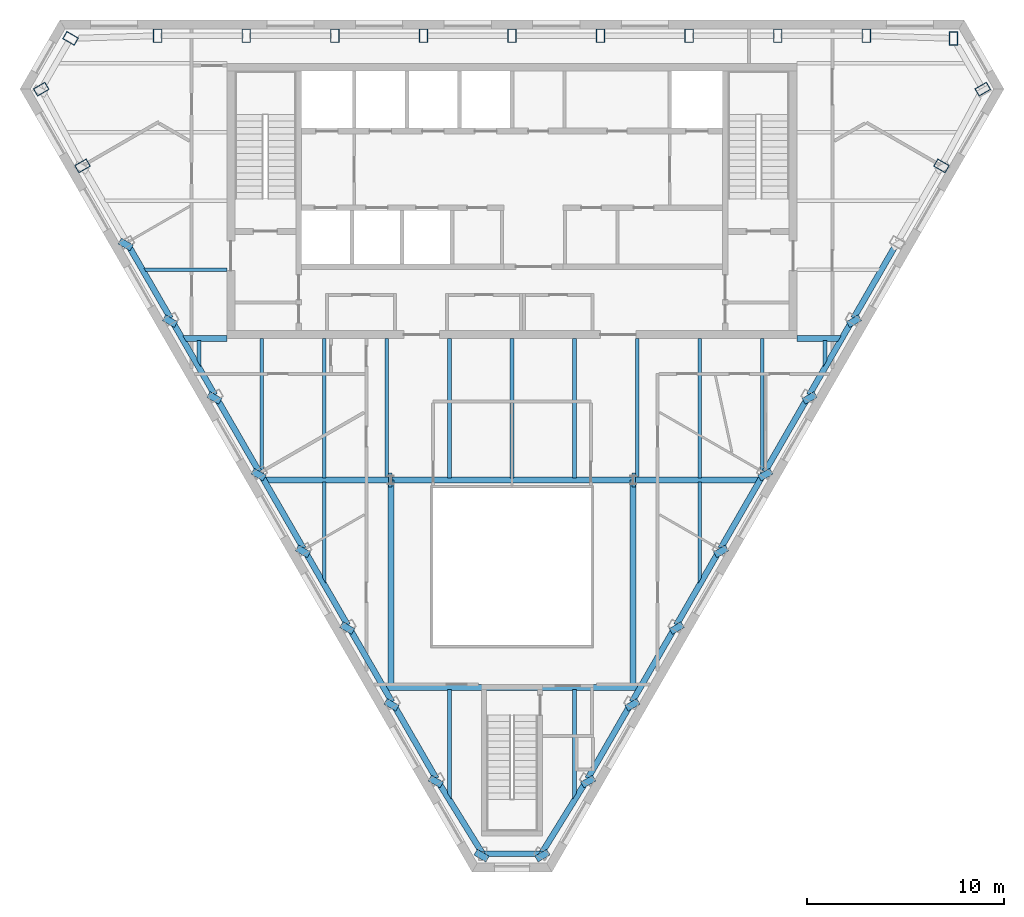
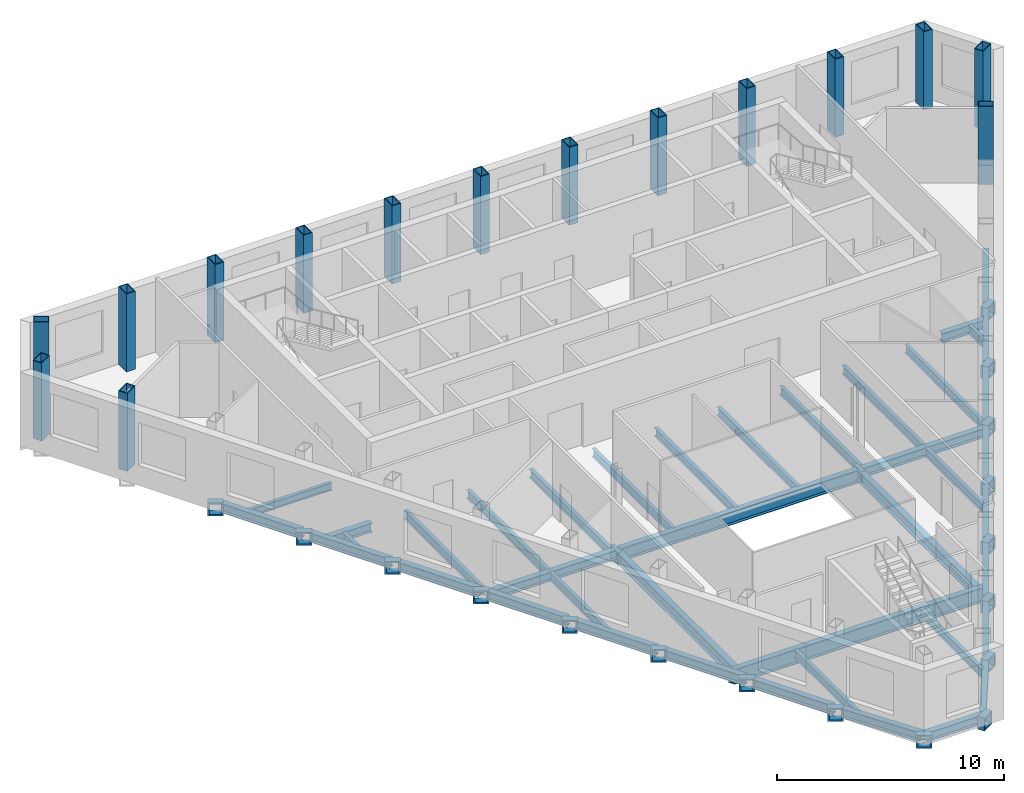
# One storey, part 2 of 10: 60 beams, 15 columns.
"""IFC4 building model written with IfcOpenShell, lengths in metres."""

from ifc_helpers import new_model, si_unit, direction, frame, origin, origin_2d, place, context, subcontext, project, spatial, hollow_rectangle, i_section, extrude, clip, halfspace, material, material_profile, profile_set, type_object, element, save


model = new_model("IFC4")

# Units and contexts
model_context = context("Model", 3, precision=1e-05, world=origin(), true_north=direction((0.0, 1.0)))
body_context = subcontext(model_context, "Body", "Model", "MODEL_VIEW")
ifc_project = project(units=[si_unit("LENGTHUNIT", "METRE"), si_unit("AREAUNIT", "SQUARE_METRE"), si_unit("VOLUMEUNIT", "CUBIC_METRE"), si_unit("PLANEANGLEUNIT", "RADIAN"), si_unit("MASSUNIT", "GRAM", prefix="KILO")], contexts=[model_context])

# Site, building, storey
site_placement = place(None, origin())
site = spatial("IfcSite", under=ifc_project, at=site_placement, CompositionType="ELEMENT")
building_placement = place(site_placement, origin())
building = spatial("IfcBuilding", under=site, at=building_placement, Name="Njiva Tower", CompositionType="ELEMENT")
storey_placement = place(building_placement, frame((0.0, 0.0, 329.4)))
storey = spatial("IfcBuildingStorey", under=building, at=storey_placement, Name="L75", CompositionType="ELEMENT", Elevation=329.4)

# Columns
ifc_material = material(Name="Steel S355 J2", Category="steel")
ifc_material_profile_1 = material_profile(ifc_material, hollow_rectangle(XDim=0.45, YDim=0.7, WallThickness=0.04, at=origin_2d()), Name="BOX 700x450x40")
ifc_profile_set_1 = profile_set([ifc_material_profile_1], Name="Steel S355 J2")
column_type = type_object("IfcColumnType", Name="C15 Perimeter tube column BOX 700x450x40", PredefinedType="COLUMN", material=ifc_profile_set_1)
for number, where, z_axis, x_axis, name in (
    (1, (22.456, 19.267, 0.0), (0.0, 0.0, 1.0), (-1.0, 0.0, 0.0), "Perimeter tube column S26-C01"),
    (2, (18.026, 19.4, 0.0), (0.0, 0.0, 1.0), (-1.0, 0.0, 0.0), "Perimeter tube column S26-C02"),
    (3, (13.52, 19.4, 0.0), (0.0, 0.0, 1.0), (-1.0, 0.0, 0.0), "Perimeter tube column S26-C03"),
    (4, (9.013, 19.4, 0.0), (0.0, 0.0, 1.0), (-1.0, 0.0, 0.0), "Perimeter tube column S26-C04"),
    (5, (4.507, 19.4, 0.0), (0.0, 0.0, 1.0), (-1.0, 0.0, 0.0), "Perimeter tube column S26-C05"),
    (6, (0.0, 19.4, 0.0), (0.0, 0.0, 1.0), (-1.0, 0.0, 0.0), "Perimeter tube column S26-C06"),
    (7, (-4.507, 19.4, 0.0), (0.0, 0.0, 1.0), (-1.0, 0.0, 0.0), "Perimeter tube column S26-C07"),
    (8, (-9.013, 19.4, 0.0), (0.0, 0.0, 1.0), (-1.0, 0.0, 0.0), "Perimeter tube column S26-C08"),
    (9, (-13.52, 19.4, 0.0), (0.0, 0.0, 1.0), (-1.0, 0.0, 0.0), "Perimeter tube column S26-C09"),
    (10, (-18.026, 19.4, 0.0), (0.0, 0.0, 1.0), (-1.0, 0.0, 0.0), "Perimeter tube column S26-C10"),
    (11, (-22.456, 19.267, 0.0), (0.0, 0.0, 1.0), (-0.5, -0.866025403784, 0.0), "Perimeter tube column S26-C11"),
    (12, (-23.948, 16.684, 0.0), (0.0, 0.0, 1.0), (0.5, -0.866025403784, 0.0), "Perimeter tube column S26-C12"),
    (13, (-21.848, 12.781, 0.0), (0.0, 0.0, 1.0), (0.5, -0.866025403784, 0.0), "Perimeter tube column S26-C13"),
    (14, (21.848, 12.781, 0.0), (0.0, 0.0, 1.0), (0.5, 0.866025403784, 0.0), "Perimeter tube column S26-C32"),
    (15, (23.948, 16.684, 0.0), (0.0, 0.0, 1.0), (-0.5, 0.866025403784, 0.0), "Perimeter tube column S26-C33"),
):
    element("IfcColumn", number, at=place(storey_placement, frame(where, z_axis=z_axis, x_axis=x_axis)), inside=storey, type_object=column_type, Name=name, PredefinedType="COLUMN", context=body_context, shape_type="SweptSolid", body=[
        extrude(hollow_rectangle(XDim=0.45, YDim=0.7, WallThickness=0.04, at=origin_2d()), origin(), (0.0, 0.0, 1.0), 4.2),
    ])

# Beams
ifc_material_profile_2 = material_profile(ifc_material, i_section(OverallWidth=0.3, OverallDepth=0.69, WebThickness=0.0145, FlangeThickness=0.027, at=origin_2d()), Name="HEA 700")
ifc_profile_set_2 = profile_set([ifc_material_profile_2], Name="Steel S355 J2")
beam_type_1 = type_object("IfcBeamType", Name="B18 Long-span atrium trimmer beam HEA 700", PredefinedType="BEAM", material=ifc_profile_set_2)
beam_1_placement = place(storey_placement, frame((6.16, -3.2, -0.545), z_axis=(-1.0, 0.0, 0.0), x_axis=(0.0, -1.0, 0.0)))
element("IfcBeam", 16, at=beam_1_placement, inside=storey, type_object=beam_type_1, Name="Long-span atrium trimmer beam S26-B057", PredefinedType="BEAM", context=body_context, shape_type="SweptSolid", body=[
    extrude(i_section(OverallWidth=0.3, OverallDepth=0.69, WebThickness=0.0145, FlangeThickness=0.027, at=origin_2d()), origin(), (0.0, 0.0, 1.0), 12.32),
])
ifc_material_profile_3 = material_profile(ifc_material, hollow_rectangle(XDim=0.7, YDim=0.7, WallThickness=0.08, at=origin_2d()), Name="BOX 700x700x80")
ifc_profile_set_3 = profile_set([ifc_material_profile_3], Name="Steel S355 J2")
beam_type_2 = type_object("IfcBeamType", Name="B19 Column jog beam BOX 700x700x80", PredefinedType="BEAM", material=ifc_profile_set_3)
for number, where, z_axis, x_axis, name in (
    (17, (-19.735, 8.636, -0.55), (0.500571914019, 0.865694957185, 0.0), (-0.865694957185, 0.500571914019, 0.0), "Column jog beam S26-B015"),
    (18, (-17.481, 4.733, -0.55), (0.500571914019, 0.865694957185, 0.0), (-0.865694957185, 0.500571914019, 0.0), "Column jog beam S26-B016"),
):
    element("IfcBeam", number, at=place(storey_placement, frame(where, z_axis=z_axis, x_axis=x_axis)), inside=storey, type_object=beam_type_2, Name=name, PredefinedType="BEAM", context=body_context, shape_type="SweptSolid", body=[
        extrude(hollow_rectangle(XDim=0.7, YDim=0.7, WallThickness=0.08, at=origin_2d()), origin(), (0.0, 0.0, 1.0), 0.3396),
    ])
for number, where, z_axis, x_axis, name in (
    (19, (-15.228, 0.83, -0.55), (0.499298623879, 0.866429964967, 0.0), (-0.866429964967, 0.499298623879, 0.0), "Column jog beam S26-B017"),
    (20, (-12.975, -3.073, -0.55), (0.499298623879, 0.866429964967, 0.0), (-0.866429964967, 0.499298623879, 0.0), "Column jog beam S26-B018"),
    (21, (-10.721, -6.976, -0.55), (0.499298623879, 0.866429964967, 0.0), (-0.866429964967, 0.499298623879, 0.0), "Column jog beam S26-B019"),
    (22, (-8.468, -10.879, -0.55), (0.499298623879, 0.866429964967, 0.0), (-0.866429964967, 0.499298623879, 0.0), "Column jog beam S26-B020"),
):
    element("IfcBeam", number, at=place(storey_placement, frame(where, z_axis=z_axis, x_axis=x_axis)), inside=storey, type_object=beam_type_2, Name=name, PredefinedType="BEAM", context=body_context, shape_type="SweptSolid", body=[
        extrude(hollow_rectangle(XDim=0.7, YDim=0.7, WallThickness=0.08, at=origin_2d()), origin(), (0.0, 0.0, 1.0), 0.3405),
    ])
for number, where, z_axis, x_axis, name in (
    (23, (-6.215, -14.781, -0.55), (0.500571914019, 0.865694957185, 0.0), (-0.865694957185, 0.500571914019, 0.0), "Column jog beam S26-B022"),
    (24, (-3.961, -18.684, -0.55), (0.500571914019, 0.865694957185, 0.0), (-0.865694957185, 0.500571914019, 0.0), "Column jog beam S26-B023"),
):
    element("IfcBeam", number, at=place(storey_placement, frame(where, z_axis=z_axis, x_axis=x_axis)), inside=storey, type_object=beam_type_2, Name=name, PredefinedType="BEAM", context=body_context, shape_type="SweptSolid", body=[
        extrude(hollow_rectangle(XDim=0.7, YDim=0.7, WallThickness=0.08, at=origin_2d()), origin(), (0.0, 0.0, 1.0), 0.3396),
    ])
for number, where, z_axis, x_axis, name in (
    (25, (-1.631, -22.454, -0.55), (0.499298623879, 0.866429964967, 0.0), (-0.866429964967, 0.499298623879, 0.0), "Column jog beam S26-B024"),
    (26, (1.631, -22.454, -0.55), (-0.499298623879, 0.866429964967, 0.0), (-0.866429964967, -0.499298623879, 0.0), "Column jog beam S26-B025"),
):
    element("IfcBeam", number, at=place(storey_placement, frame(where, z_axis=z_axis, x_axis=x_axis)), inside=storey, type_object=beam_type_2, Name=name, PredefinedType="BEAM", context=body_context, shape_type="SweptSolid", body=[
        extrude(hollow_rectangle(XDim=0.7, YDim=0.7, WallThickness=0.08, at=origin_2d()), origin(), (0.0, 0.0, 1.0), 0.3405),
    ])
for number, where, z_axis, x_axis, name in (
    (27, (3.961, -18.684, -0.55), (-0.500571914019, 0.865694957185, 0.0), (-0.865694957185, -0.500571914019, 0.0), "Column jog beam S26-B026"),
    (28, (6.215, -14.781, -0.55), (-0.500571914019, 0.865694957185, 0.0), (-0.865694957185, -0.500571914019, 0.0), "Column jog beam S26-B027"),
):
    element("IfcBeam", number, at=place(storey_placement, frame(where, z_axis=z_axis, x_axis=x_axis)), inside=storey, type_object=beam_type_2, Name=name, PredefinedType="BEAM", context=body_context, shape_type="SweptSolid", body=[
        extrude(hollow_rectangle(XDim=0.7, YDim=0.7, WallThickness=0.08, at=origin_2d()), origin(), (0.0, 0.0, 1.0), 0.3396),
    ])
for number, where, z_axis, x_axis, name in (
    (29, (8.468, -10.879, -0.55), (-0.499298623879, 0.866429964967, 0.0), (-0.866429964967, -0.499298623879, 0.0), "Column jog beam S26-B029"),
    (30, (10.721, -6.976, -0.55), (-0.499298623879, 0.866429964967, 0.0), (-0.866429964967, -0.499298623879, 0.0), "Column jog beam S26-B030"),
    (31, (12.975, -3.073, -0.55), (-0.499298623879, 0.866429964967, 0.0), (-0.866429964967, -0.499298623879, 0.0), "Column jog beam S26-B031"),
    (32, (15.228, 0.83, -0.55), (-0.499298623879, 0.866429964967, 0.0), (-0.866429964967, -0.499298623879, 0.0), "Column jog beam S26-B032"),
):
    element("IfcBeam", number, at=place(storey_placement, frame(where, z_axis=z_axis, x_axis=x_axis)), inside=storey, type_object=beam_type_2, Name=name, PredefinedType="BEAM", context=body_context, shape_type="SweptSolid", body=[
        extrude(hollow_rectangle(XDim=0.7, YDim=0.7, WallThickness=0.08, at=origin_2d()), origin(), (0.0, 0.0, 1.0), 0.3405),
    ])
beam_2_placement = place(storey_placement, frame((17.481, 4.733, -0.55), z_axis=(-0.500571914019, 0.865694957185, 0.0), x_axis=(-0.865694957185, -0.500571914019, 0.0)))
element("IfcBeam", 33, at=beam_2_placement, inside=storey, type_object=beam_type_2, Name="Column jog beam S26-B033", PredefinedType="BEAM", context=body_context, shape_type="SweptSolid", body=[
    extrude(hollow_rectangle(XDim=0.7, YDim=0.7, WallThickness=0.08, at=origin_2d()), origin(), (0.0, 0.0, 1.0), 0.3396),
])
for number, where, z_axis, x_axis, name in (
    (34, (6.28, -3.2, -0.55), (-1.0, 0.0, 0.0), (0.0, -1.0, 0.0), "Column jog beam S26-B028"),
    (35, (-6.28, -3.2, -0.55), (1.0, 0.0, 0.0), (0.0, 1.0, 0.0), "Column jog beam S26-B021"),
):
    element("IfcBeam", number, at=place(storey_placement, frame(where, z_axis=z_axis, x_axis=x_axis)), inside=storey, type_object=beam_type_2, Name=name, PredefinedType="BEAM", context=body_context, shape_type="SweptSolid", body=[
        extrude(hollow_rectangle(XDim=0.7, YDim=0.7, WallThickness=0.08, at=origin_2d()), origin(), (0.0, 0.0, 1.0), 0.18),
    ])
ifc_material_profile_4 = material_profile(ifc_material, i_section(OverallWidth=0.3, OverallDepth=0.59, WebThickness=0.013, FlangeThickness=0.025, at=origin_2d()), Name="HEA 600")
ifc_profile_set_4 = profile_set([ifc_material_profile_4], Name="Steel S355 J2")
beam_type_3 = type_object("IfcBeamType", Name="B30 Long-span atrium trimmer beam HEA 600", PredefinedType="BEAM", material=ifc_profile_set_4)
for number, where, z_axis, x_axis, name in (
    (36, (6.16, -13.65, -0.495), (0.0, 1.0, 0.0), (-1.0, 0.0, 0.0), "Long-span atrium trimmer beam S26-B059"),
    (37, (-6.16, -3.2, -0.495), (0.0, -1.0, 0.0), (1.0, 0.0, 0.0), "Long-span atrium trimmer beam S26-B056"),
):
    element("IfcBeam", number, at=place(storey_placement, frame(where, z_axis=z_axis, x_axis=x_axis)), inside=storey, type_object=beam_type_3, Name=name, PredefinedType="BEAM", context=body_context, shape_type="SweptSolid", body=[
        extrude(i_section(OverallWidth=0.3, OverallDepth=0.59, WebThickness=0.013, FlangeThickness=0.025, at=origin_2d()), origin(), (0.0, 0.0, 1.0), 10.45),
    ])
ifc_material_profile_5 = material_profile(ifc_material, i_section(OverallWidth=0.3, OverallDepth=0.49, WebThickness=0.012, FlangeThickness=0.023, at=origin_2d()), Name="HEA 500")
ifc_profile_set_5 = profile_set([ifc_material_profile_5], Name="Steel S355 J2")
beam_type_4 = type_object("IfcBeamType", Name="B48 Short-span spandrel beam HEA 500", PredefinedType="SPANDREL", material=ifc_profile_set_5)
beam_3_placement = place(storey_placement, frame((-19.452, 8.632, -0.445), z_axis=(0.499916824138, -0.866073420066, 0.0), x_axis=(0.866073420066, 0.499916824138, 0.0)))
element("IfcBeam", 38, at=beam_3_placement, inside=storey, type_object=beam_type_4, Name="Short-span spandrel beam S26-B068", PredefinedType="SPANDREL", context=body_context, shape_type="SweptSolid", body=[
    extrude(i_section(OverallWidth=0.3, OverallDepth=0.49, WebThickness=0.012, FlangeThickness=0.023, at=origin_2d()), origin(), (0.0, 0.0, 1.0), 4.1567),
])
for number, where, z_axis, x_axis, name in (
    (39, (-17.199, 4.729, -0.445), (0.500097243556, -0.865969252911, 0.0), (0.865969252911, 0.500097243556, 0.0), "Short-span spandrel beam S26-B071"),
    (40, (-14.946, 0.826, -0.445), (0.500097243556, -0.865969252911, 0.0), (0.865969252911, 0.500097243556, 0.0), "Short-span spandrel beam S26-B073"),
):
    element("IfcBeam", number, at=place(storey_placement, frame(where, z_axis=z_axis, x_axis=x_axis)), inside=storey, type_object=beam_type_4, Name=name, PredefinedType="SPANDREL", context=body_context, shape_type="SweptSolid", body=[
        extrude(i_section(OverallWidth=0.3, OverallDepth=0.49, WebThickness=0.012, FlangeThickness=0.023, at=origin_2d()), origin(), (0.0, 0.0, 1.0), 4.1572),
    ])
beam_4_placement = place(storey_placement, frame((-12.692, -3.077, -0.445), z_axis=(0.499916824138, -0.866073420066, 0.0), x_axis=(0.866073420066, 0.499916824138, 0.0)))
element("IfcBeam", 41, at=beam_4_placement, inside=storey, type_object=beam_type_4, Name="Short-span spandrel beam S26-B076", PredefinedType="SPANDREL", context=body_context, shape_type="SweptSolid", body=[
    extrude(i_section(OverallWidth=0.3, OverallDepth=0.49, WebThickness=0.012, FlangeThickness=0.023, at=origin_2d()), origin(), (0.0, 0.0, 1.0), 4.1567),
])
beam_5_placement = place(storey_placement, frame((-10.439, -6.98, -0.445), z_axis=(0.500097243556, -0.865969252911, 0.0), x_axis=(0.865969252911, 0.500097243556, 0.0)))
element("IfcBeam", 42, at=beam_5_placement, inside=storey, type_object=beam_type_4, Name="Short-span spandrel beam S26-B078", PredefinedType="SPANDREL", context=body_context, shape_type="SweptSolid", body=[
    extrude(i_section(OverallWidth=0.3, OverallDepth=0.49, WebThickness=0.012, FlangeThickness=0.023, at=origin_2d()), origin(), (0.0, 0.0, 1.0), 4.1572),
])
beam_6_placement = place(storey_placement, frame((-8.185, -10.883, -0.445), z_axis=(0.500021003115, -0.866013277291, 0.0), x_axis=(0.866013277291, 0.500021003115, 0.0)))
element("IfcBeam", 43, at=beam_6_placement, inside=storey, type_object=beam_type_4, Name="Short-span spandrel beam S26-B081", PredefinedType="SPANDREL", context=body_context, shape_type="SweptSolid", body=[
    extrude(i_section(OverallWidth=0.3, OverallDepth=0.49, WebThickness=0.012, FlangeThickness=0.023, at=origin_2d()), origin(), (0.0, 0.0, 1.0), 4.1558),
])
beam_7_placement = place(storey_placement, frame((-5.932, -14.785, -0.445), z_axis=(0.499916824138, -0.866073420066, 0.0), x_axis=(0.866073420066, 0.499916824138, 0.0)))
element("IfcBeam", 44, at=beam_7_placement, inside=storey, type_object=beam_type_4, Name="Short-span spandrel beam S26-B083", PredefinedType="SPANDREL", context=body_context, shape_type="SweptSolid", body=[
    extrude(i_section(OverallWidth=0.3, OverallDepth=0.49, WebThickness=0.012, FlangeThickness=0.023, at=origin_2d()), origin(), (0.0, 0.0, 1.0), 4.1567),
])
beam_8_placement = place(storey_placement, frame((-3.67, -18.687, -0.445), z_axis=(0.525805714585, -0.850604696972, 0.0), x_axis=(0.850604696972, 0.525805714585, 0.0)))
element("IfcBeam", 45, at=beam_8_placement, inside=storey, type_object=beam_type_4, Name="Short-span spandrel beam S26-B086", PredefinedType="SPANDREL", context=body_context, shape_type="Clipping", body=[
    clip(extrude(i_section(OverallWidth=0.3, OverallDepth=0.49, WebThickness=0.012, FlangeThickness=0.023, at=origin_2d()), origin(), (0.0, 0.0, 1.0), 4.1278), halfspace(frame((-0.0262, 0.0, 3.9986), z_axis=(-0.525805714585, 0.0, 0.850604696972), x_axis=(0.0, 1.0, 0.0)), False)),
])
beam_9_placement = place(storey_placement, frame((-1.426, -22.211, -0.445), z_axis=(1.0, 0.0, 0.0), x_axis=(0.0, 1.0, 0.0)))
element("IfcBeam", 46, at=beam_9_placement, inside=storey, type_object=beam_type_4, Name="Short-span spandrel beam S26-B087", PredefinedType="SPANDREL", context=body_context, shape_type="Clipping", body=[
    clip(extrude(i_section(OverallWidth=0.3, OverallDepth=0.49, WebThickness=0.012, FlangeThickness=0.023, at=origin_2d()), origin(), (0.0, 0.0, 1.0), 2.898), halfspace(frame((-0.0255, 0.0, 2.7762), z_axis=(-0.499998009787, 0.0, 0.866026552831), x_axis=(0.0, 1.0, 0.0)), False)),
])
beam_10_placement = place(storey_placement, frame((1.527, -22.153, -0.445), z_axis=(0.525889887246, 0.850552659447, 0.0), x_axis=(-0.850552659447, 0.525889887246, 0.0)))
element("IfcBeam", 47, at=beam_10_placement, inside=storey, type_object=beam_type_4, Name="Short-span spandrel beam S26-B090", PredefinedType="SPANDREL", context=body_context, shape_type="SweptSolid", body=[
    extrude(i_section(OverallWidth=0.3, OverallDepth=0.49, WebThickness=0.012, FlangeThickness=0.023, at=origin_2d()), origin(), (0.0, 0.0, 1.0), 4.075),
])
beam_11_placement = place(storey_placement, frame((3.854, -18.385, -0.445), z_axis=(0.499916824138, 0.866073420066, 0.0), x_axis=(-0.866073420066, 0.499916824138, 0.0)))
element("IfcBeam", 48, at=beam_11_placement, inside=storey, type_object=beam_type_4, Name="Short-span spandrel beam S26-B092", PredefinedType="SPANDREL", context=body_context, shape_type="SweptSolid", body=[
    extrude(i_section(OverallWidth=0.3, OverallDepth=0.49, WebThickness=0.012, FlangeThickness=0.023, at=origin_2d()), origin(), (0.0, 0.0, 1.0), 4.1567),
])
beam_12_placement = place(storey_placement, frame((6.107, -14.482, -0.445), z_axis=(0.500021003115, 0.866013277291, 0.0), x_axis=(-0.866013277291, 0.500021003115, 0.0)))
element("IfcBeam", 49, at=beam_12_placement, inside=storey, type_object=beam_type_4, Name="Short-span spandrel beam S26-B095", PredefinedType="SPANDREL", context=body_context, shape_type="SweptSolid", body=[
    extrude(i_section(OverallWidth=0.3, OverallDepth=0.49, WebThickness=0.012, FlangeThickness=0.023, at=origin_2d()), origin(), (0.0, 0.0, 1.0), 4.1558),
])
beam_13_placement = place(storey_placement, frame((8.36, -10.58, -0.445), z_axis=(0.500097243556, 0.865969252911, 0.0), x_axis=(-0.865969252911, 0.500097243556, 0.0)))
element("IfcBeam", 50, at=beam_13_placement, inside=storey, type_object=beam_type_4, Name="Short-span spandrel beam S26-B097", PredefinedType="SPANDREL", context=body_context, shape_type="SweptSolid", body=[
    extrude(i_section(OverallWidth=0.3, OverallDepth=0.49, WebThickness=0.012, FlangeThickness=0.023, at=origin_2d()), origin(), (0.0, 0.0, 1.0), 4.1572),
])
beam_14_placement = place(storey_placement, frame((10.614, -6.677, -0.445), z_axis=(0.499916824138, 0.866073420066, 0.0), x_axis=(-0.866073420066, 0.499916824138, 0.0)))
element("IfcBeam", 51, at=beam_14_placement, inside=storey, type_object=beam_type_4, Name="Short-span spandrel beam S26-B100", PredefinedType="SPANDREL", context=body_context, shape_type="SweptSolid", body=[
    extrude(i_section(OverallWidth=0.3, OverallDepth=0.49, WebThickness=0.012, FlangeThickness=0.023, at=origin_2d()), origin(), (0.0, 0.0, 1.0), 4.1567),
])
for number, where, z_axis, x_axis, name in (
    (52, (12.867, -2.774, -0.445), (0.500097243556, 0.865969252911, 0.0), (-0.865969252911, 0.500097243556, 0.0), "Short-span spandrel beam S26-B102"),
    (53, (15.12, 1.129, -0.445), (0.500097243556, 0.865969252911, 0.0), (-0.865969252911, 0.500097243556, 0.0), "Short-span spandrel beam S26-B105"),
):
    element("IfcBeam", number, at=place(storey_placement, frame(where, z_axis=z_axis, x_axis=x_axis)), inside=storey, type_object=beam_type_4, Name=name, PredefinedType="SPANDREL", context=body_context, shape_type="SweptSolid", body=[
        extrude(i_section(OverallWidth=0.3, OverallDepth=0.49, WebThickness=0.012, FlangeThickness=0.023, at=origin_2d()), origin(), (0.0, 0.0, 1.0), 4.1572),
    ])
beam_15_placement = place(storey_placement, frame((17.374, 5.032, -0.445), z_axis=(0.499916824138, 0.866073420066, 0.0), x_axis=(-0.866073420066, 0.499916824138, 0.0)))
element("IfcBeam", 54, at=beam_15_placement, inside=storey, type_object=beam_type_4, Name="Short-span spandrel beam S26-B107", PredefinedType="SPANDREL", context=body_context, shape_type="SweptSolid", body=[
    extrude(i_section(OverallWidth=0.3, OverallDepth=0.49, WebThickness=0.012, FlangeThickness=0.023, at=origin_2d()), origin(), (0.0, 0.0, 1.0), 4.1567),
])
ifc_material_profile_6 = material_profile(ifc_material, i_section(OverallWidth=0.3, OverallDepth=0.49, WebThickness=0.012, FlangeThickness=0.023, at=origin_2d()), Name="HEA 500")
ifc_profile_set_6 = profile_set([ifc_material_profile_6], Name="Steel S355 J2")
beam_type_5 = type_object("IfcBeamType", Name="B49 Floor girder HEA 500", PredefinedType="BEAM", material=ifc_profile_set_6)
beam_16_placement = place(storey_placement, frame((-12.613, -3.2, -0.445), z_axis=(1.0, 0.0, 0.0), x_axis=(0.0, 1.0, 0.0)))
element("IfcBeam", 55, at=beam_16_placement, inside=storey, type_object=beam_type_5, Name="Floor girder S26-B010", PredefinedType="BEAM", context=body_context, shape_type="Clipping", body=[
    clip(extrude(i_section(OverallWidth=0.3, OverallDepth=0.49, WebThickness=0.012, FlangeThickness=0.023, at=origin_2d()), origin(), (0.0, 0.0, 1.0), 6.453), halfspace(frame((-0.025, 0.0, 0.1217), z_axis=(-0.499998009787, 0.0, -0.866026552831), x_axis=(0.0, -1.0, 0.0)), False)),
])
beam_17_placement = place(storey_placement, frame((6.16, -3.2, -0.445), z_axis=(1.0, 0.0, 0.0), x_axis=(0.0, 1.0, 0.0)))
element("IfcBeam", 56, at=beam_17_placement, inside=storey, type_object=beam_type_5, Name="Floor girder S26-B011", PredefinedType="BEAM", context=body_context, shape_type="Clipping", body=[
    clip(extrude(i_section(OverallWidth=0.3, OverallDepth=0.49, WebThickness=0.012, FlangeThickness=0.023, at=origin_2d()), origin(), (0.0, 0.0, 1.0), 6.453), halfspace(frame((-0.025, 0.0, 6.3313), z_axis=(-0.499998009787, 0.0, 0.866026552831), x_axis=(0.0, 1.0, 0.0)), False)),
])
ifc_material_profile_7 = material_profile(ifc_material, i_section(OverallWidth=0.3, OverallDepth=0.49, WebThickness=0.012, FlangeThickness=0.023, at=origin_2d()), Name="HEA 500")
ifc_profile_set_7 = profile_set([ifc_material_profile_7], Name="Steel S355 J2")
beam_type_6 = type_object("IfcBeamType", Name="B50 Short-span floor girder HEA 500", PredefinedType="BEAM", material=ifc_profile_set_7)
beam_18_placement = place(storey_placement, frame((-16.77, 4.0, -0.445), z_axis=(1.0, 0.0, 0.0), x_axis=(0.0, 1.0, 0.0)))
element("IfcBeam", 57, at=beam_18_placement, inside=storey, type_object=beam_type_6, Name="Short-span floor girder S26-B009", PredefinedType="BEAM", context=body_context, shape_type="Clipping", body=[
    clip(extrude(i_section(OverallWidth=0.3, OverallDepth=0.49, WebThickness=0.012, FlangeThickness=0.023, at=origin_2d()), origin(), (0.0, 0.0, 1.0), 2.27), halfspace(frame((-0.025, 0.0, 0.1217), z_axis=(-0.499998009787, 0.0, -0.866026552831), x_axis=(0.0, -1.0, 0.0)), False)),
])
beam_19_placement = place(storey_placement, frame((14.5, 4.0, -0.445), z_axis=(1.0, 0.0, 0.0), x_axis=(0.0, 1.0, 0.0)))
element("IfcBeam", 58, at=beam_19_placement, inside=storey, type_object=beam_type_6, Name="Short-span floor girder S26-B012", PredefinedType="BEAM", context=body_context, shape_type="Clipping", body=[
    clip(extrude(i_section(OverallWidth=0.3, OverallDepth=0.49, WebThickness=0.012, FlangeThickness=0.023, at=origin_2d()), origin(), (0.0, 0.0, 1.0), 2.27), halfspace(frame((-0.025, 0.0, 2.1483), z_axis=(-0.499998009787, 0.0, 0.866026552831), x_axis=(0.0, 1.0, 0.0)), False)),
])
ifc_material_profile_8 = material_profile(ifc_material, i_section(OverallWidth=0.19, OverallDepth=0.45, WebThickness=0.0094, FlangeThickness=0.0146, at=origin_2d()), Name="IPE 450")
ifc_profile_set_8 = profile_set([ifc_material_profile_8], Name="Steel S355 J2")
beam_type_7 = type_object("IfcBeamType", Name="B52 Short-span floor joist IPE 450", PredefinedType="JOIST", material=ifc_profile_set_8)
beam_20_placement = place(storey_placement, frame((-15.917, 3.9, -0.425), z_axis=(0.0, -1.0, 0.0), x_axis=(1.0, 0.0, 0.0)))
element("IfcBeam", 59, at=beam_20_placement, inside=storey, type_object=beam_type_7, Name="Short-span floor joist S26-B037", PredefinedType="JOIST", context=body_context, shape_type="Clipping", body=[
    clip(extrude(i_section(OverallWidth=0.19, OverallDepth=0.45, WebThickness=0.0094, FlangeThickness=0.0146, at=origin_2d()), origin(), (0.0, 0.0, 1.0), 1.377), halfspace(frame((-0.043, 0.0, 1.1172), z_axis=(-0.866026552831, 0.0, 0.499998009787), x_axis=(0.0, 1.0, 0.0)), False)),
])
beam_21_placement = place(storey_placement, frame((15.917, 3.9, -0.425), z_axis=(0.0, -1.0, 0.0), x_axis=(1.0, 0.0, 0.0)))
element("IfcBeam", 60, at=beam_21_placement, inside=storey, type_object=beam_type_7, Name="Short-span floor joist S26-B053", PredefinedType="JOIST", context=body_context, shape_type="Clipping", body=[
    clip(extrude(i_section(OverallWidth=0.19, OverallDepth=0.45, WebThickness=0.0094, FlangeThickness=0.0146, at=origin_2d()), origin(), (0.0, 0.0, 1.0), 1.377), halfspace(frame((0.043, 0.0, 1.1172), z_axis=(0.866026552831, 0.0, 0.499998009787), x_axis=(0.0, 1.0, 0.0)), False)),
])
ifc_material_profile_9 = material_profile(ifc_material, i_section(OverallWidth=0.19, OverallDepth=0.45, WebThickness=0.0094, FlangeThickness=0.0146, at=origin_2d()), Name="IPE 450")
ifc_profile_set_9 = profile_set([ifc_material_profile_9], Name="Steel S355 J2")
beam_type_8 = type_object("IfcBeamType", Name="B53 Floor joist IPE 450", PredefinedType="JOIST", material=ifc_profile_set_9)
beam_22_placement = place(storey_placement, frame((-12.733, 3.995, -0.425), z_axis=(0.0, -1.0, 0.0), x_axis=(1.0, 0.0, 0.0)))
element("IfcBeam", 61, at=beam_22_placement, inside=storey, type_object=beam_type_8, Name="Floor joist S26-B038", PredefinedType="JOIST", context=body_context, shape_type="Clipping", body=[
    clip(extrude(i_section(OverallWidth=0.19, OverallDepth=0.45, WebThickness=0.0094, FlangeThickness=0.0146, at=origin_2d()), origin(), (0.0, 0.0, 1.0), 6.968), halfspace(frame((-0.0436, 0.0, 6.7076), z_axis=(-0.866026552831, 0.0, 0.499998009787), x_axis=(0.0, 1.0, 0.0)), False)),
])
beam_23_placement = place(storey_placement, frame((-9.55, 3.995, -0.425), z_axis=(0.0, -1.0, 0.0), x_axis=(1.0, 0.0, 0.0)))
element("IfcBeam", 62, at=beam_23_placement, inside=storey, type_object=beam_type_8, Name="Floor joist S26-B041", PredefinedType="JOIST", context=body_context, shape_type="SweptSolid", body=[
    extrude(i_section(OverallWidth=0.19, OverallDepth=0.45, WebThickness=0.0094, FlangeThickness=0.0146, at=origin_2d()), origin(), (0.0, 0.0, 1.0), 7.095),
])
beam_24_placement = place(storey_placement, frame((-9.55, -3.3, -0.425), z_axis=(0.0, -1.0, 0.0), x_axis=(1.0, 0.0, 0.0)))
element("IfcBeam", 63, at=beam_24_placement, inside=storey, type_object=beam_type_8, Name="Floor joist S26-B040", PredefinedType="JOIST", context=body_context, shape_type="Clipping", body=[
    clip(extrude(i_section(OverallWidth=0.19, OverallDepth=0.45, WebThickness=0.0094, FlangeThickness=0.0146, at=origin_2d()), origin(), (0.0, 0.0, 1.0), 5.205), halfspace(frame((-0.0433, 0.0, 4.9445), z_axis=(-0.866026552831, 0.0, 0.499998009787), x_axis=(0.0, 1.0, 0.0)), False)),
])
beam_25_placement = place(storey_placement, frame((-6.367, 3.995, -0.425), z_axis=(0.0, -1.0, 0.0), x_axis=(1.0, 0.0, 0.0)))
element("IfcBeam", 64, at=beam_25_placement, inside=storey, type_object=beam_type_8, Name="Floor joist S26-B042", PredefinedType="JOIST", context=body_context, shape_type="SweptSolid", body=[
    extrude(i_section(OverallWidth=0.19, OverallDepth=0.45, WebThickness=0.0094, FlangeThickness=0.0146, at=origin_2d()), origin(), (0.0, 0.0, 1.0), 7.02),
])
beam_26_placement = place(storey_placement, frame((-3.183, 3.995, -0.425), z_axis=(0.0, -1.0, 0.0), x_axis=(1.0, 0.0, 0.0)))
element("IfcBeam", 65, at=beam_26_placement, inside=storey, type_object=beam_type_8, Name="Floor joist S26-B044", PredefinedType="JOIST", context=body_context, shape_type="SweptSolid", body=[
    extrude(i_section(OverallWidth=0.19, OverallDepth=0.45, WebThickness=0.0094, FlangeThickness=0.0146, at=origin_2d()), origin(), (0.0, 0.0, 1.0), 7.095),
])
beam_27_placement = place(storey_placement, frame((-3.183, -13.85, -0.425), z_axis=(0.0, -1.0, 0.0), x_axis=(1.0, 0.0, 0.0)))
element("IfcBeam", 66, at=beam_27_placement, inside=storey, type_object=beam_type_8, Name="Floor joist S26-B043", PredefinedType="JOIST", context=body_context, shape_type="Clipping", body=[
    clip(extrude(i_section(OverallWidth=0.19, OverallDepth=0.45, WebThickness=0.0094, FlangeThickness=0.0146, at=origin_2d()), origin(), (0.0, 0.0, 1.0), 5.608), halfspace(frame((-0.0429, 0.0, 5.365), z_axis=(-0.850615955969, 0.0, 0.525787500281), x_axis=(0.0, 1.0, 0.0)), False)),
])
for number, where, z_axis, x_axis, name in (
    (67, (0.0, 3.995, -0.425), (0.0, -1.0, 0.0), (1.0, 0.0, 0.0), "Floor joist S26-B045"),
    (68, (3.183, 3.995, -0.425), (0.0, -1.0, 0.0), (1.0, 0.0, 0.0), "Floor joist S26-B047"),
):
    element("IfcBeam", number, at=place(storey_placement, frame(where, z_axis=z_axis, x_axis=x_axis)), inside=storey, type_object=beam_type_8, Name=name, PredefinedType="JOIST", context=body_context, shape_type="SweptSolid", body=[
        extrude(i_section(OverallWidth=0.19, OverallDepth=0.45, WebThickness=0.0094, FlangeThickness=0.0146, at=origin_2d()), origin(), (0.0, 0.0, 1.0), 7.095),
    ])
beam_28_placement = place(storey_placement, frame((3.183, -13.85, -0.425), z_axis=(0.0, -1.0, 0.0), x_axis=(1.0, 0.0, 0.0)))
element("IfcBeam", 69, at=beam_28_placement, inside=storey, type_object=beam_type_8, Name="Floor joist S26-B046", PredefinedType="JOIST", context=body_context, shape_type="Clipping", body=[
    clip(extrude(i_section(OverallWidth=0.19, OverallDepth=0.45, WebThickness=0.0094, FlangeThickness=0.0146, at=origin_2d()), origin(), (0.0, 0.0, 1.0), 5.608), halfspace(frame((0.0429, 0.0, 5.365), z_axis=(0.850615955969, 0.0, 0.525787500281), x_axis=(0.0, 1.0, 0.0)), False)),
])
beam_29_placement = place(storey_placement, frame((6.367, 3.995, -0.425), z_axis=(0.0, -1.0, 0.0), x_axis=(1.0, 0.0, 0.0)))
element("IfcBeam", 70, at=beam_29_placement, inside=storey, type_object=beam_type_8, Name="Floor joist S26-B048", PredefinedType="JOIST", context=body_context, shape_type="SweptSolid", body=[
    extrude(i_section(OverallWidth=0.19, OverallDepth=0.45, WebThickness=0.0094, FlangeThickness=0.0146, at=origin_2d()), origin(), (0.0, 0.0, 1.0), 7.02),
])
beam_30_placement = place(storey_placement, frame((9.55, 3.995, -0.425), z_axis=(0.0, -1.0, 0.0), x_axis=(1.0, 0.0, 0.0)))
element("IfcBeam", 71, at=beam_30_placement, inside=storey, type_object=beam_type_8, Name="Floor joist S26-B050", PredefinedType="JOIST", context=body_context, shape_type="SweptSolid", body=[
    extrude(i_section(OverallWidth=0.19, OverallDepth=0.45, WebThickness=0.0094, FlangeThickness=0.0146, at=origin_2d()), origin(), (0.0, 0.0, 1.0), 7.095),
])
beam_31_placement = place(storey_placement, frame((9.55, -3.3, -0.425), z_axis=(0.0, -1.0, 0.0), x_axis=(1.0, 0.0, 0.0)))
element("IfcBeam", 72, at=beam_31_placement, inside=storey, type_object=beam_type_8, Name="Floor joist S26-B049", PredefinedType="JOIST", context=body_context, shape_type="Clipping", body=[
    clip(extrude(i_section(OverallWidth=0.19, OverallDepth=0.45, WebThickness=0.0094, FlangeThickness=0.0146, at=origin_2d()), origin(), (0.0, 0.0, 1.0), 5.205), halfspace(frame((0.0433, 0.0, 4.9445), z_axis=(0.866026552831, 0.0, 0.499998009787), x_axis=(0.0, 1.0, 0.0)), False)),
])
beam_32_placement = place(storey_placement, frame((12.733, 3.995, -0.425), z_axis=(0.0, -1.0, 0.0), x_axis=(1.0, 0.0, 0.0)))
element("IfcBeam", 73, at=beam_32_placement, inside=storey, type_object=beam_type_8, Name="Floor joist S26-B051", PredefinedType="JOIST", context=body_context, shape_type="Clipping", body=[
    clip(extrude(i_section(OverallWidth=0.19, OverallDepth=0.45, WebThickness=0.0094, FlangeThickness=0.0146, at=origin_2d()), origin(), (0.0, 0.0, 1.0), 6.968), halfspace(frame((0.0436, 0.0, 6.7076), z_axis=(0.866026552831, 0.0, 0.499998009787), x_axis=(0.0, 1.0, 0.0)), False)),
])
ifc_material_profile_10 = material_profile(ifc_material, i_section(OverallWidth=0.18, OverallDepth=0.4, WebThickness=0.0086, FlangeThickness=0.0135, at=origin_2d()), Name="IPE 400")
ifc_profile_set_10 = profile_set([ifc_material_profile_10], Name="Steel S355 J2")
beam_type_9 = type_object("IfcBeamType", Name="B56 Short-span floor beam to the core IPE 400", PredefinedType="BEAM", material=ifc_profile_set_10)
beam_33_placement = place(storey_placement, frame((-18.755, 7.5, -0.4), z_axis=(1.0, 0.0, 0.0), x_axis=(0.0, 1.0, 0.0)))
element("IfcBeam", 74, at=beam_33_placement, inside=storey, type_object=beam_type_9, Name="Short-span floor beam to the core S26-B004", PredefinedType="BEAM", context=body_context, shape_type="Clipping", body=[
    clip(extrude(i_section(OverallWidth=0.18, OverallDepth=0.4, WebThickness=0.0086, FlangeThickness=0.0135, at=origin_2d()), origin(), (0.0, 0.0, 1.0), 4.255), halfspace(frame((-0.025, 0.0, 0.086), z_axis=(-0.499998009787, 0.0, -0.866026552831), x_axis=(0.0, -1.0, 0.0)), False)),
])
ifc_material_profile_11 = material_profile(ifc_material, i_section(OverallWidth=0.3, OverallDepth=0.79, WebThickness=0.015, FlangeThickness=0.028, at=origin_2d()), Name="HEA 800")
ifc_profile_set_11 = profile_set([ifc_material_profile_11], Name="Steel S355 J2")
beam_type_10 = type_object("IfcBeamType", Name="B9 Long-span atrium trimmer beam HEA 800", PredefinedType="BEAM", material=ifc_profile_set_11)
beam_34_placement = place(storey_placement, frame((-6.522, -13.75, -0.595), z_axis=(1.0, 0.0, 0.0), x_axis=(0.0, 1.0, 0.0)))
element("IfcBeam", 75, at=beam_34_placement, inside=storey, type_object=beam_type_10, Name="Long-span atrium trimmer beam S26-B054", PredefinedType="BEAM", context=body_context, shape_type="Clipping", body=[
    clip(clip(extrude(i_section(OverallWidth=0.3, OverallDepth=0.79, WebThickness=0.015, FlangeThickness=0.028, at=origin_2d()), origin(), (0.0, 0.0, 1.0), 13.044), halfspace(frame((-0.025, 0.0, 0.1217), z_axis=(-0.499998009787, 0.0, -0.866026552831), x_axis=(0.0, -1.0, 0.0)), False)), halfspace(frame((-0.025, 0.0, 12.9223), z_axis=(-0.499998009787, 0.0, 0.866026552831), x_axis=(0.0, 1.0, 0.0)), False)),
])

save(model, "model.ifc")
